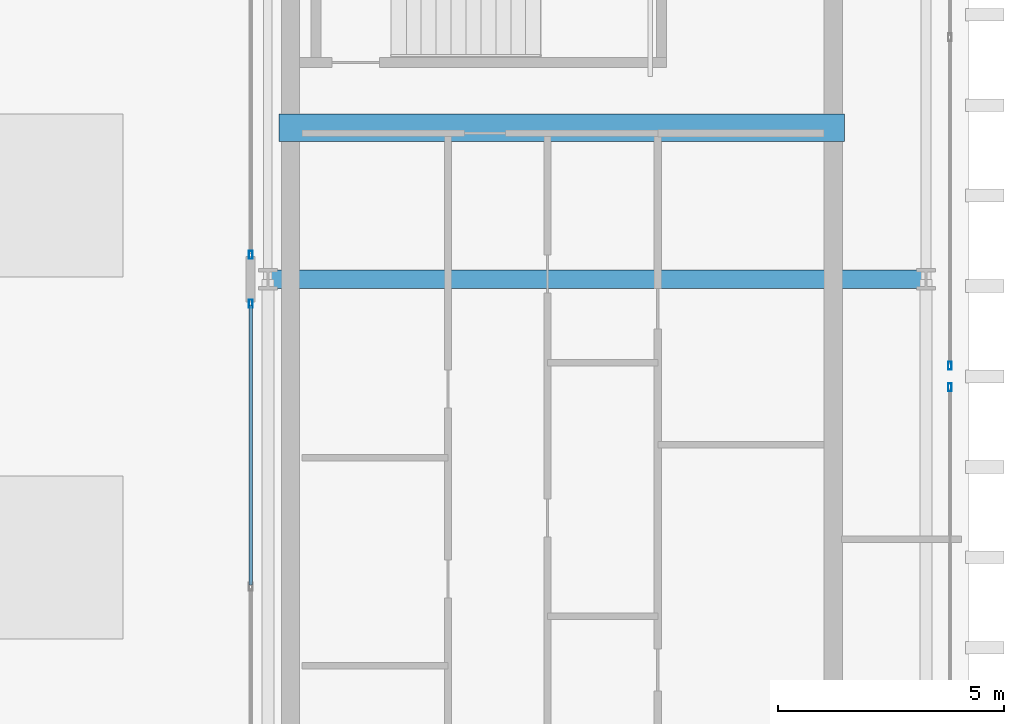
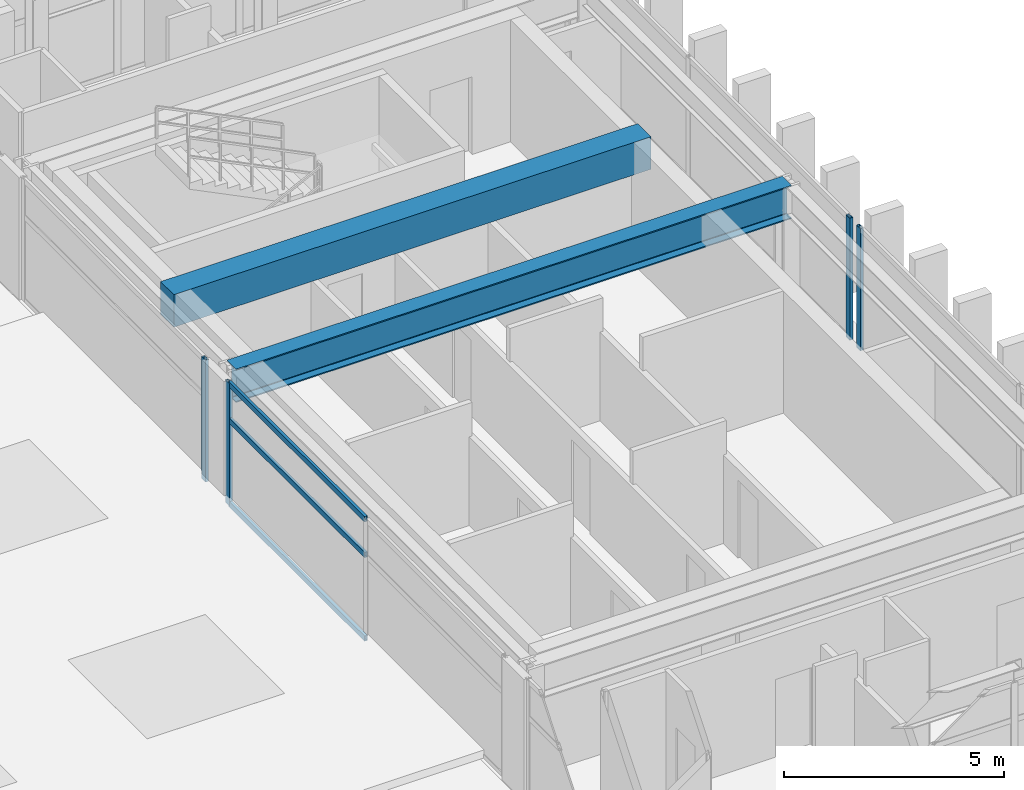
# One storey, part 11 of 25: 7 members, 2 beams, 4 elements without a shape of their own.
"""IFC4 building model written with IfcOpenShell, lengths in metres."""

from ifc_helpers import new_model, si_unit, direction, frame, origin, origin_2d, place, context, subcontext, project, spatial, rectangle, hollow_rectangle, i_section, extrude, source, transform, mapped, material, layer, layer_set, material_profile, profile_set, type_object, element, aggregate, save


model = new_model("IFC4")

# Units and contexts
model_context = context("Model", 3, precision=1e-05, world=origin(), true_north=direction((0.0, 1.0)))
body_context = subcontext(model_context, "Body", "Model", "MODEL_VIEW")
ifc_project = project(units=[si_unit("LENGTHUNIT", "METRE"), si_unit("AREAUNIT", "SQUARE_METRE"), si_unit("VOLUMEUNIT", "CUBIC_METRE"), si_unit("PLANEANGLEUNIT", "RADIAN"), si_unit("MASSUNIT", "GRAM", prefix="KILO")], contexts=[model_context])

# Site, building, storey
site_placement = place(None, origin())
site = spatial("IfcSite", under=ifc_project, at=site_placement, CompositionType="ELEMENT")
building_placement = place(site_placement, origin())
building = spatial("IfcBuilding", under=site, at=building_placement, Name="Ocotamira Hotel", CompositionType="ELEMENT")
storey_placement = place(building_placement, frame((0.0, 0.0, 250.800048828125)))
storey = spatial("IfcBuildingStorey", under=building, at=storey_placement, Name="L63", CompositionType="ELEMENT", Elevation=250.800048828125)

# Beams
ifc_material_1 = material(Name="Concrete C50/60", Category="concrete")
ifc_material_profile_1 = material_profile(ifc_material_1, rectangle(XDim=0.60009765625, YDim=0.89990234375, at=origin_2d()), Name="RC600X900")
ifc_profile_set_1 = profile_set([ifc_material_profile_1], Name="Concrete C50/60")
beam_type_1 = type_object("IfcBeamType", Name="BM-LINK-RC600", PredefinedType="LINTEL", material=ifc_profile_set_1)
shared_shape_1 = source(origin(), body_context, "Body", "SweptSolid", [
    extrude(rectangle(XDim=0.60009765625, YDim=0.89990234375, at=origin_2d()), origin(), (0.0, 0.0, 1.0), 12.5),
])
beam_1_placement = place(storey_placement, frame((40.75, 31.5, 2.929931640625), z_axis=(1.0, 0.0, 0.0), x_axis=(0.0, 1.0, 0.0)))
element("IfcBeam", 1, at=beam_1_placement, inside=storey, type_object=beam_type_1, Name="L63 East Core Coupling Beam", PredefinedType="LINTEL", context=body_context, shape_type="MappedRepresentation", body=[
    mapped(shared_shape_1, transform((0.0, 0.0, 0.0), scale=1.0)),
])
ifc_material_2 = material(Name="Steel ASTM A992 Grade 50", Category="steel")
ifc_material_profile_2 = material_profile(ifc_material_2, i_section(OverallWidth=0.41796875, OverallDepth=0.927001953125, WebThickness=0.019287109375, FlangeThickness=0.031982421875, FilletRadius=0.02392578125, at=origin_2d()), Name="W36X231")
ifc_profile_set_2 = profile_set([ifc_material_profile_2], Name="Steel ASTM A992 Grade 50")
beam_type_2 = type_object("IfcBeamType", Name="BM-GIRD-W36X231", PredefinedType="BEAM", material=ifc_profile_set_2)
shared_shape_2 = source(origin(), body_context, "Body", "SweptSolid", [
    extrude(i_section(OverallWidth=0.41796875, OverallDepth=0.927001953125, WebThickness=0.019287109375, FlangeThickness=0.031982421875, FilletRadius=0.02392578125, at=origin_2d()), origin(), (0.0, 0.0, 1.0), 14.550048828125),
])
beam_2_placement = place(storey_placement, frame((40.5, 28.14990234375, 2.91650390625), z_axis=(1.0, 0.0, 0.0), x_axis=(0.0, 1.0, 0.0)))
element("IfcBeam", 2, at=beam_2_placement, inside=storey, type_object=beam_type_2, Name="L63 Girder Y28.15 X40.5-55.05", PredefinedType="BEAM", context=body_context, shape_type="MappedRepresentation", body=[
    mapped(shared_shape_2, transform((0.0, 0.0, 0.0), scale=1.0)),
])

# Curtain wall, member
ifc_material_3 = material(Name="Anodised pale-metal aluminium and solar glass", Category="aluminium")
ifc_layer = layer(ifc_material_3, 0.2099609375)
ifc_layer_set = layer_set([ifc_layer], Name="Anodised pale-metal aluminium and solar glass")
curtain_wall_type = type_object("IfcCurtainWallType", Name="CW-SYS7-PEAK", PredefinedType="NOTDEFINED", material=ifc_layer_set)
curtain_wall_1_placement = place(storey_placement, origin())
curtain_wall_1 = element("IfcCurtainWall", 3, at=curtain_wall_1_placement, inside=storey, type_object=curtain_wall_type, Name="L63 Curtain Wall CW-7 CW-L63-EO1", PredefinedType="NOTDEFINED")
ifc_material_4 = material(Name="Anodised pale-metal aluminium 6063-T6", Category="aluminium")
ifc_material_profile_3 = material_profile(ifc_material_4, hollow_rectangle(XDim=0.080078125, YDim=0.179931640625, WallThickness=0.006103515625, at=origin_2d()), Name="HSS180X80X6")
ifc_profile_set_3 = profile_set([ifc_material_profile_3], Name="Anodised pale-metal aluminium 6063-T6")
member_type_1 = type_object("IfcMemberType", Name="CWM-180X75", PredefinedType="MULLION", material=ifc_profile_set_3)
shared_shape_3 = source(origin(), body_context, "Body", "SweptSolid", [
    extrude(hollow_rectangle(XDim=0.080078125, YDim=0.179931640625, WallThickness=0.006103515625, at=origin_2d()), origin(), (0.0, 0.0, 1.0), 3.3798828125),
])
member_1_placement = place(storey_placement, frame((55.580078125, 25.760009765625, 0.0), z_axis=(0.0, 0.0, 1.0), x_axis=(-1.0, 0.0, 0.0)))
member_1 = element("IfcMember", 4, at=member_1_placement, type_object=member_type_1, Name="CW-7 mullion 3", PredefinedType="MULLION", context=body_context, shape_type="MappedRepresentation", body=[
    mapped(shared_shape_3, transform((0.0, 0.0, 0.0), scale=1.0)),
])
aggregate(curtain_wall_1, [member_1])

curtain_wall_2_placement = place(storey_placement, origin())
curtain_wall_2 = element("IfcCurtainWall", 5, at=curtain_wall_2_placement, inside=storey, type_object=curtain_wall_type, Name="L63 Curtain Wall CW-7 CW-L63-EO2", PredefinedType="NOTDEFINED")
member_2_placement = place(storey_placement, frame((55.580078125, 26.239990234375, 0.0), z_axis=(0.0, 0.0, 1.0), x_axis=(-1.0, 0.0, 0.0)))
member_2 = element("IfcMember", 6, at=member_2_placement, type_object=member_type_1, Name="CW-7 mullion 1", PredefinedType="MULLION", context=body_context, shape_type="MappedRepresentation", body=[
    mapped(shared_shape_3, transform((0.0, 0.0, 0.0), scale=1.0)),
])
aggregate(curtain_wall_2, [member_2])

curtain_wall_3_placement = place(storey_placement, origin())
curtain_wall_3 = element("IfcCurtainWall", 7, at=curtain_wall_3_placement, inside=storey, type_object=curtain_wall_type, Name="L63 Curtain Wall CW-7 CW-L63-EI2", PredefinedType="NOTDEFINED")
member_3_placement = place(storey_placement, frame((40.1201171875, 27.610107421875, 0.0), z_axis=(0.0, 0.0, 1.0), x_axis=(-1.0, 0.0, 0.0)))
member_3 = element("IfcMember", 8, at=member_3_placement, type_object=member_type_1, Name="CW-7 mullion 3", PredefinedType="MULLION", context=body_context, shape_type="MappedRepresentation", body=[
    mapped(shared_shape_3, transform((0.0, 0.0, 0.0), scale=1.0)),
])

curtain_wall_4_placement = place(storey_placement, origin())
curtain_wall_4 = element("IfcCurtainWall", 9, at=curtain_wall_4_placement, inside=storey, type_object=curtain_wall_type, Name="L63 Curtain Wall CW-7 CW-L63-EI3", PredefinedType="NOTDEFINED")
member_4_placement = place(storey_placement, frame((40.1201171875, 28.68994140625, 0.0), z_axis=(0.0, 0.0, 1.0), x_axis=(-1.0, 0.0, 0.0)))
member_4 = element("IfcMember", 10, at=member_4_placement, type_object=member_type_1, Name="CW-7 mullion 1", PredefinedType="MULLION", context=body_context, shape_type="MappedRepresentation", body=[
    mapped(shared_shape_3, transform((0.0, 0.0, 0.0), scale=1.0)),
])
aggregate(curtain_wall_4, [member_4])

# Member
ifc_material_profile_4 = material_profile(ifc_material_4, hollow_rectangle(XDim=0.074951171875, YDim=0.14990234375, WallThickness=0.006103515625, at=origin_2d()), Name="HSS150X75X6")
ifc_profile_set_4 = profile_set([ifc_material_profile_4], Name="Anodised pale-metal aluminium 6063-T6")
member_type_2 = type_object("IfcMemberType", Name="CWT-150X75", PredefinedType="USERDEFINED", material=ifc_profile_set_4)
shared_shape_4 = source(origin(), body_context, "Body", "SweptSolid", [
    extrude(hollow_rectangle(XDim=0.074951171875, YDim=0.14990234375, WallThickness=0.006103515625, at=origin_2d()), origin(), (0.0, 0.0, 1.0), 6.18017578125),
])
member_5_placement = place(storey_placement, frame((40.1201171875, 21.389892578125, 0.037353515625), z_axis=(0.0, 1.0, 0.0), x_axis=(-1.0, 0.0, 0.0)))
member_5 = element("IfcMember", 11, at=member_5_placement, type_object=member_type_2, Name="CW-7 transom 2.1", ObjectType="TRANSOM", PredefinedType="USERDEFINED", context=body_context, shape_type="MappedRepresentation", body=[
    mapped(shared_shape_4, transform((0.0, 0.0, 0.0), scale=1.0)),
])

member_6_placement = place(storey_placement, frame((40.1201171875, 21.389892578125, 2.349853515625), z_axis=(0.0, 1.0, 0.0), x_axis=(-1.0, 0.0, 0.0)))
member_6 = element("IfcMember", 12, at=member_6_placement, type_object=member_type_2, Name="CW-7 transom 2.2", ObjectType="TRANSOM", PredefinedType="USERDEFINED", context=body_context, shape_type="MappedRepresentation", body=[
    mapped(shared_shape_4, transform((0.0, 0.0, 0.0), scale=1.0)),
])

member_7_placement = place(storey_placement, frame((40.1201171875, 21.389892578125, 3.342529296875), z_axis=(0.0, 1.0, 0.0), x_axis=(-1.0, 0.0, 0.0)))
member_7 = element("IfcMember", 13, at=member_7_placement, type_object=member_type_2, Name="CW-7 transom 2.3", ObjectType="TRANSOM", PredefinedType="USERDEFINED", context=body_context, shape_type="MappedRepresentation", body=[
    mapped(shared_shape_4, transform((0.0, 0.0, 0.0), scale=1.0)),
])

aggregate(curtain_wall_3, [member_3, member_5, member_6, member_7])

save(model, "model.ifc")
